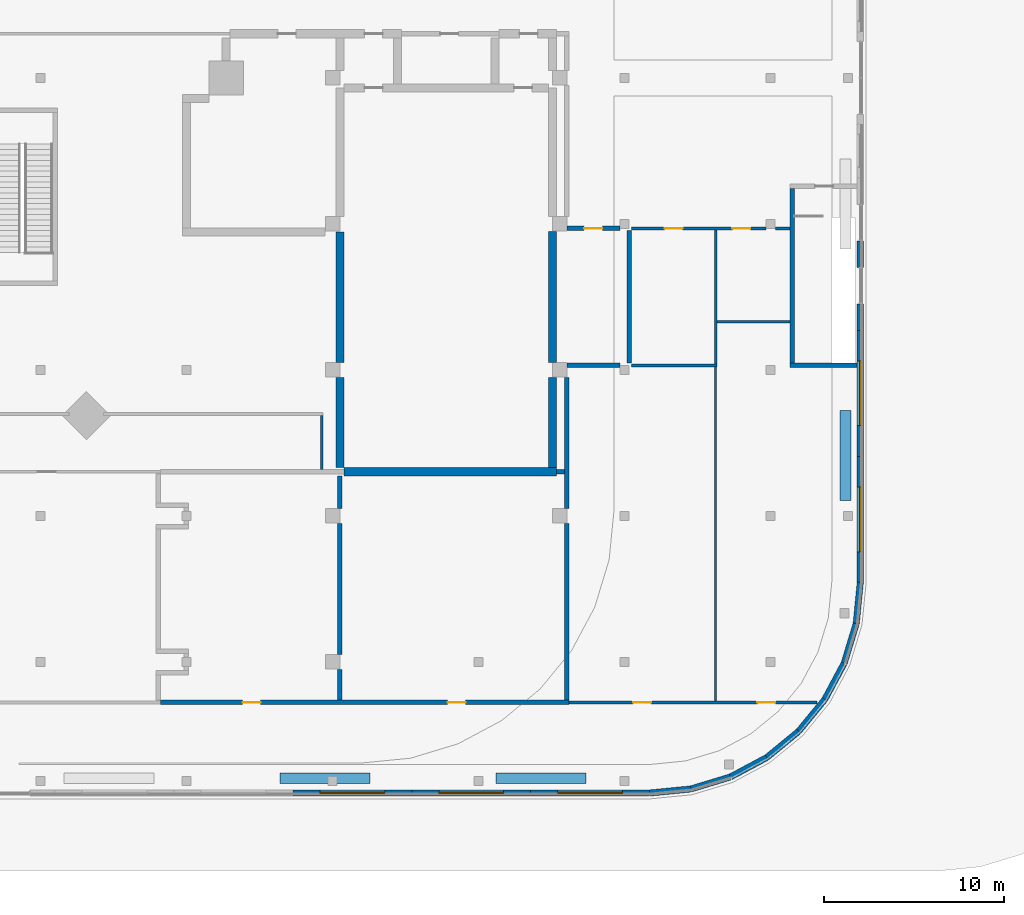
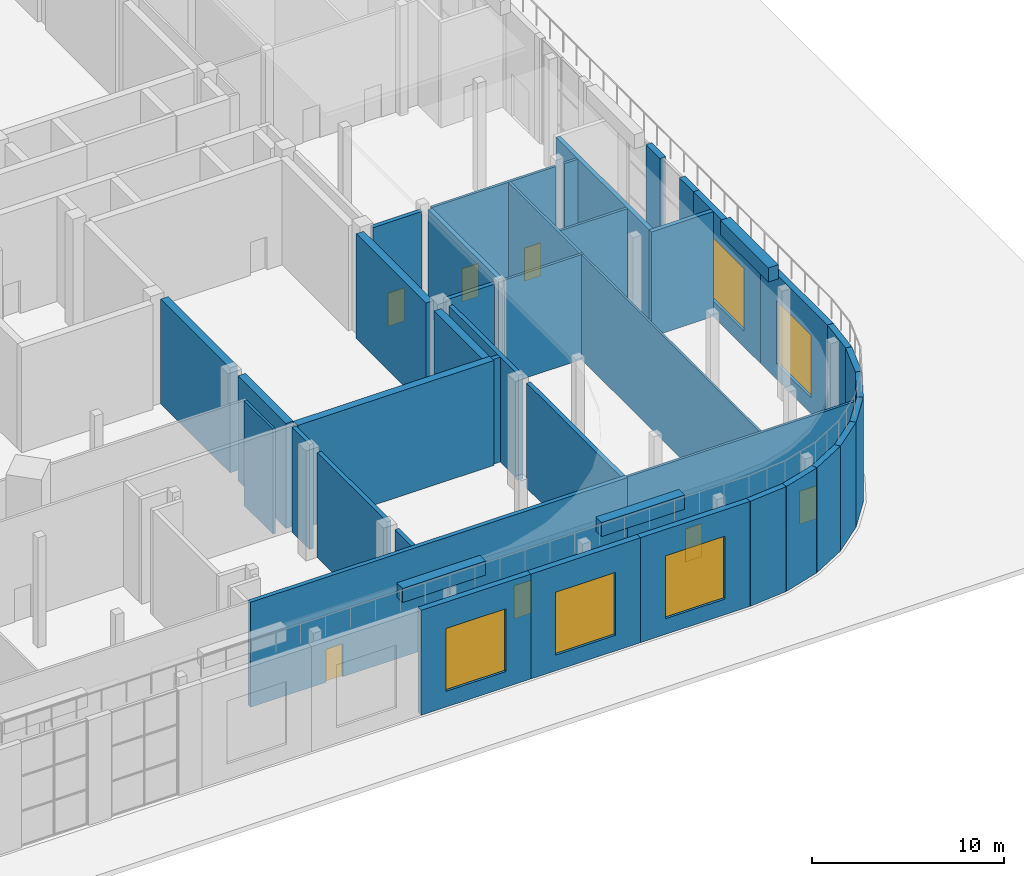
# One storey, part 12 of 21: 43 walls, 7 doors, 5 windows, 12 openings.
"""IFC4 building model written with IfcOpenShell, lengths in metres."""

from ifc_helpers import new_model, si_unit, direction, frame, frame_2d, origin, place, context, subcontext, project, spatial, rectangle, extrude, material, layer, layer_set, type_object, element, fill, save


model = new_model("IFC4")

# Units and contexts
model_context = context("Model", 3, precision=1e-05, world=origin(), true_north=direction((0.0, 1.0)))
body_context = subcontext(model_context, "Body", "Model", "MODEL_VIEW")
ifc_project = project(units=[si_unit("LENGTHUNIT", "METRE"), si_unit("AREAUNIT", "SQUARE_METRE"), si_unit("VOLUMEUNIT", "CUBIC_METRE"), si_unit("PLANEANGLEUNIT", "RADIAN"), si_unit("MASSUNIT", "GRAM", prefix="KILO")], contexts=[model_context])

# Site, building, storey
site_placement = place(None, origin())
site = spatial("IfcSite", under=ifc_project, at=site_placement, CompositionType="ELEMENT")
building_placement = place(site_placement, origin())
building = spatial("IfcBuilding", under=site, at=building_placement, Name="Torre Triforio", CompositionType="ELEMENT")
storey_placement = place(building_placement, frame((0.0, 0.0, 6.0)))
storey = spatial("IfcBuildingStorey", under=building, at=storey_placement, Name="L01", CompositionType="ELEMENT", Elevation=6.0)

# Wall
ifc_material_1 = material(Name="Plasterboard on metal studs")
ifc_layer_1 = layer(ifc_material_1, 0.14990234375)
ifc_layer_set_1 = layer_set([ifc_layer_1], Name="Plasterboard on metal studs")
wall_type_1 = type_object("IfcWallType", Name="Corridor wall 150 EI 60", PredefinedType="PARTITIONING", material=ifc_layer_set_1)
wall_1_placement = place(storey_placement, frame((31.800048828125, -21.72509765625, 0.0), z_axis=(0.0, 0.0, 1.0), x_axis=(0.0, 1.0, 0.0)))
element("IfcWall", 1, at=wall_1_placement, inside=storey, type_object=wall_type_1, Name="Corridor wall L01 210", PredefinedType="PARTITIONING", context=body_context, shape_type="SweptSolid", body=[
    extrude(rectangle(XDim=3.0, YDim=0.14990234375, at=frame_2d((1.5, 0.0))), origin(), (0.0, 0.0, 1.0), 6.679931640625),
])

# Wall, openings, doors
wall_2_placement = place(storey_placement, frame((45.52490234375, -34.64990234375, 0.0), z_axis=(0.0, 0.0, 1.0), x_axis=(1.0, 0.0, 0.0)))
wall_2 = element("IfcWall", 2, at=wall_2_placement, inside=storey, type_object=wall_type_1, Name="Corridor wall L01 219", PredefinedType="PARTITIONING", context=body_context, shape_type="SweptSolid", body=[
    extrude(rectangle(XDim=13.754638671875, YDim=0.14990234375, at=frame_2d((6.87744140625, 0.0))), origin(), (0.0, 0.0, 1.0), 6.679931640625),
])
opening_1_placement = place(wall_2_placement, frame((3.550048828125, 0.0, 0.0)))
opening_1 = element("IfcOpeningElement", 3, at=opening_1_placement, cuts=wall_2, Name="Opening P1-27", PredefinedType="OPENING", context=body_context, shape_type="SweptSolid", body=[
    extrude(rectangle(XDim=1.0, YDim=2.10009765625, at=frame_2d((0.5, 1.050048828125))), frame((0.0, 0.0849609375, 0.0), z_axis=(0.0, -1.0, 0.0), x_axis=(1.0, 0.0, 0.0)), (0.0, 0.0, 1.0), 0.169921875),
])
opening_2_placement = place(wall_2_placement, frame((10.43505859375, 0.0, 0.0)))
opening_2 = element("IfcOpeningElement", 4, at=opening_2_placement, cuts=wall_2, Name="Opening P1-28", PredefinedType="OPENING", context=body_context, shape_type="SweptSolid", body=[
    extrude(rectangle(XDim=1.0, YDim=2.10009765625, at=frame_2d((0.5, 1.050048828125))), frame((0.0, 0.0849609375, 0.0), z_axis=(0.0, -1.0, 0.0), x_axis=(1.0, 0.0, 0.0)), (0.0, 0.0, 1.0), 0.169921875),
])
ifc_material_2 = material(Name="Timber door leaf", Category="wood")
door_type_1 = type_object("IfcDoorType", Name="Single door 1000 x 2100 EI 30", OperationType="NOTDEFINED", PredefinedType="DOOR", material=ifc_material_2)
door_1_placement = place(opening_1_placement, origin())
door_1 = element("IfcDoor", 5, at=door_1_placement, inside=storey, type_object=door_type_1, Name="Door P1-27", OperationType="SINGLE_SWING_LEFT", OverallHeight=2.10009765625, OverallWidth=1.0, PredefinedType="DOOR", context=body_context, shape_type="SweptSolid", body=[
    extrude(rectangle(XDim=1.0, YDim=2.10009765625, at=frame_2d((0.5, 1.050048828125))), frame((0.0, 0.02490234375, 0.0), z_axis=(0.0, -1.0, 0.0), x_axis=(1.0, 0.0, 0.0)), (0.0, 0.0, 1.0), 0.050048828125),
])
fill(opening_1, door_1)
door_2_placement = place(opening_2_placement, origin())
door_2 = element("IfcDoor", 6, at=door_2_placement, inside=storey, type_object=door_type_1, Name="Door P1-28", OperationType="SINGLE_SWING_LEFT", OverallHeight=2.10009765625, OverallWidth=1.0, PredefinedType="DOOR", context=body_context, shape_type="SweptSolid", body=[
    extrude(rectangle(XDim=1.0, YDim=2.10009765625, at=frame_2d((0.5, 1.050048828125))), frame((0.0, 0.02490234375, 0.0), z_axis=(0.0, -1.0, 0.0), x_axis=(1.0, 0.0, 0.0)), (0.0, 0.0, 1.0), 0.050048828125),
])
fill(opening_2, door_2)

# Walls
ifc_layer_2 = layer(ifc_material_1, 0.1201171875)
ifc_layer_set_2 = layer_set([ifc_layer_2], Name="Plasterboard on metal studs")
wall_type_2 = type_object("IfcWallType", Name="Partition 120", PredefinedType="PARTITIONING", material=ifc_layer_set_2)
wall_3_placement = place(storey_placement, frame((53.64990234375, -34.574951171875, 0.0), z_axis=(0.0, 0.0, 1.0), x_axis=(0.0, 1.0, 0.0)))
element("IfcWall", 7, at=wall_3_placement, inside=storey, type_object=wall_type_2, Name="Partition L01 266", PredefinedType="PARTITIONING", context=body_context, shape_type="SweptSolid", body=[
    extrude(rectangle(XDim=18.550048828125, YDim=0.1201171875, at=frame_2d((9.27490234375, 0.0))), origin(), (0.0, 0.0, 1.0), 6.679931640625),
])
ifc_material_3 = material(Name="Masonry block", Category="masonry")
ifc_layer_3 = layer(ifc_material_3, 0.25)
ifc_layer_set_3 = layer_set([ifc_layer_3], Name="Masonry block")
wall_type_3 = type_object("IfcWallType", Name="Plant room wall 250 EI 120", PredefinedType="PARTITIONING", material=ifc_layer_set_3)
wall_4_placement = place(storey_placement, frame((48.85009765625, -15.824951171875, 0.0), z_axis=(0.0, 0.0, 1.0), x_axis=(0.0, 1.0, 0.0)))
element("IfcWall", 8, at=wall_4_placement, inside=storey, type_object=wall_type_3, Name="Plant room wall L01 005", PredefinedType="PARTITIONING", context=body_context, shape_type="SweptSolid", body=[
    extrude(rectangle(XDim=7.349853515625, YDim=0.25, at=frame_2d((3.6748046875, 0.0))), origin(), (0.0, 0.0, 1.0), 6.679931640625),
])

# Wall, opening, door
wall_5_placement = place(storey_placement, frame((45.409912109375, -8.35009765625, 0.0), z_axis=(0.0, 0.0, 1.0), x_axis=(1.0, 0.0, 0.0)))
wall_5 = element("IfcWall", 9, at=wall_5_placement, inside=storey, type_object=wall_type_3, Name="Plant room wall L01 023", PredefinedType="PARTITIONING", context=body_context, shape_type="SweptSolid", body=[
    extrude(rectangle(XDim=2.93017578125, YDim=0.25, at=frame_2d((1.465087890625, 0.0))), origin(), (0.0, 0.0, 1.0), 6.679931640625),
])
opening_3_placement = place(wall_5_placement, frame((0.949951171875, 0.0, 0.0)))
opening_3 = element("IfcOpeningElement", 10, at=opening_3_placement, cuts=wall_5, Name="Opening P1-22", PredefinedType="OPENING", context=body_context, shape_type="SweptSolid", body=[
    extrude(rectangle(XDim=1.0, YDim=2.10009765625, at=frame_2d((0.5, 1.050048828125))), frame((0.0, 0.135009765625, 0.0), z_axis=(0.0, -1.0, 0.0), x_axis=(1.0, 0.0, 0.0)), (0.0, 0.0, 1.0), 0.27001953125),
])
ifc_material_4 = material(Name="Hollow metal fire door leaf")
door_type_2 = type_object("IfcDoorType", Name="Fire door 1000 x 2100 EI 60", OperationType="NOTDEFINED", PredefinedType="DOOR", material=ifc_material_4)
door_3_placement = place(opening_3_placement, origin())
door_3 = element("IfcDoor", 11, at=door_3_placement, inside=storey, type_object=door_type_2, Name="Door P1-22", OperationType="SINGLE_SWING_LEFT", OverallHeight=2.10009765625, OverallWidth=1.0, PredefinedType="DOOR", context=body_context, shape_type="SweptSolid", body=[
    extrude(rectangle(XDim=1.0, YDim=2.10009765625, at=frame_2d((0.5, 1.050048828125))), frame((0.0, 0.02490234375, 0.0), z_axis=(0.0, -1.0, 0.0), x_axis=(1.0, 0.0, 0.0)), (0.0, 0.0, 1.0), 0.050048828125),
])
fill(opening_3, door_3)

# Walls
wall_6_placement = place(storey_placement, frame((44.824951171875, -21.85009765625, 0.0), z_axis=(0.0, 0.0, 1.0), x_axis=(1.0, 0.0, 0.0)))
element("IfcWall", 12, at=wall_6_placement, inside=storey, type_object=wall_type_3, Name="Plant room wall L01 026", PredefinedType="PARTITIONING", context=body_context, shape_type="SweptSolid", body=[
    extrude(rectangle(XDim=0.449951171875, YDim=0.25, at=frame_2d((0.22509765625, 0.0))), origin(), (0.0, 0.0, 1.0), 6.679931640625),
])
wall_7_placement = place(storey_placement, frame((45.409912109375, -15.949951171875, 0.0), z_axis=(0.0, 0.0, 1.0), x_axis=(1.0, 0.0, 0.0)))
element("IfcWall", 13, at=wall_7_placement, inside=storey, type_object=wall_type_3, Name="Plant room wall L01 030", PredefinedType="PARTITIONING", context=body_context, shape_type="SweptSolid", body=[
    extrude(rectangle(XDim=2.93017578125, YDim=0.25, at=frame_2d((1.465087890625, 0.0))), origin(), (0.0, 0.0, 1.0), 6.679931640625),
])
wall_8_placement = place(storey_placement, frame((32.800048828125, -34.52490234375, 0.0), z_axis=(0.0, 0.0, 1.0), x_axis=(0.0, 1.0, 0.0)))
element("IfcWall", 14, at=wall_8_placement, inside=storey, type_object=wall_type_3, Name="Plant room wall L01 213", PredefinedType="PARTITIONING", context=body_context, shape_type="SweptSolid", body=[
    extrude(rectangle(XDim=1.71484375, YDim=0.25, at=frame_2d((0.857421875, 0.0))), origin(), (0.0, 0.0, 1.0), 6.679931640625),
])
wall_9_placement = place(storey_placement, frame((32.800048828125, -31.989990234375, 0.0), z_axis=(0.0, 0.0, 1.0), x_axis=(0.0, 1.0, 0.0)))
element("IfcWall", 15, at=wall_9_placement, inside=storey, type_object=wall_type_3, Name="Plant room wall L01 214", PredefinedType="PARTITIONING", context=body_context, shape_type="SweptSolid", body=[
    extrude(rectangle(XDim=7.280029296875, YDim=0.25, at=frame_2d((3.64013671875, 0.0))), origin(), (0.0, 0.0, 1.0), 6.679931640625),
])
wall_10_placement = place(storey_placement, frame((32.800048828125, -23.889892578125, 0.0), z_axis=(0.0, 0.0, 1.0), x_axis=(0.0, 1.0, 0.0)))
element("IfcWall", 16, at=wall_10_placement, inside=storey, type_object=wall_type_3, Name="Plant room wall L01 215", PredefinedType="PARTITIONING", context=body_context, shape_type="SweptSolid", body=[
    extrude(rectangle(XDim=1.81494140625, YDim=0.25, at=frame_2d((0.907470703125, 0.0))), origin(), (0.0, 0.0, 1.0), 6.679931640625),
])
wall_11_placement = place(storey_placement, frame((45.39990234375, -34.52490234375, 0.0), z_axis=(0.0, 0.0, 1.0), x_axis=(0.0, 1.0, 0.0)))
element("IfcWall", 17, at=wall_11_placement, inside=storey, type_object=wall_type_3, Name="Plant room wall L01 216", PredefinedType="PARTITIONING", context=body_context, shape_type="SweptSolid", body=[
    extrude(rectangle(XDim=9.81494140625, YDim=0.25, at=frame_2d((4.907470703125, 0.0))), origin(), (0.0, 0.0, 1.0), 6.679931640625),
])
wall_12_placement = place(storey_placement, frame((45.39990234375, -23.889892578125, 0.0), z_axis=(0.0, 0.0, 1.0), x_axis=(0.0, 1.0, 0.0)))
element("IfcWall", 18, at=wall_12_placement, inside=storey, type_object=wall_type_3, Name="Plant room wall L01 217", PredefinedType="PARTITIONING", context=body_context, shape_type="SweptSolid", body=[
    extrude(rectangle(XDim=7.27978515625, YDim=0.25, at=frame_2d((3.639892578125, 0.0))), origin(), (0.0, 0.0, 1.0), 6.679931640625),
])

# Wall, openings, doors
wall_13_placement = place(storey_placement, frame((22.853515625, -34.64990234375, 0.0), z_axis=(0.0, 0.0, 1.0), x_axis=(1.0, 0.0, 0.0)))
wall_13 = element("IfcWall", 19, at=wall_13_placement, inside=storey, type_object=wall_type_3, Name="Plant room wall L01 218", PredefinedType="PARTITIONING", context=body_context, shape_type="SweptSolid", body=[
    extrude(rectangle(XDim=22.67138671875, YDim=0.25, at=frame_2d((11.335693359375, 0.0))), origin(), (0.0, 0.0, 1.0), 6.679931640625),
])
opening_4_placement = place(wall_13_placement, frame((4.550048828125, 0.0, 0.0)))
opening_4 = element("IfcOpeningElement", 20, at=opening_4_placement, cuts=wall_13, Name="Opening P1-38", PredefinedType="OPENING", context=body_context, shape_type="SweptSolid", body=[
    extrude(rectangle(XDim=1.0, YDim=2.10009765625, at=frame_2d((0.5, 1.050048828125))), frame((0.0, 0.135009765625, 0.0), z_axis=(0.0, -1.0, 0.0), x_axis=(1.0, 0.0, 0.0)), (0.0, 0.0, 1.0), 0.27001953125),
])
opening_5_placement = place(wall_13_placement, frame((15.92138671875, 0.0, 0.0)))
opening_5 = element("IfcOpeningElement", 21, at=opening_5_placement, cuts=wall_13, Name="Opening P1-39", PredefinedType="OPENING", context=body_context, shape_type="SweptSolid", body=[
    extrude(rectangle(XDim=1.0, YDim=2.10009765625, at=frame_2d((0.5, 1.050048828125))), frame((0.0, 0.135009765625, 0.0), z_axis=(0.0, -1.0, 0.0), x_axis=(1.0, 0.0, 0.0)), (0.0, 0.0, 1.0), 0.27001953125),
])
door_4_placement = place(opening_4_placement, origin())
door_4 = element("IfcDoor", 22, at=door_4_placement, inside=storey, type_object=door_type_2, Name="Door P1-38", OperationType="SINGLE_SWING_LEFT", OverallHeight=2.10009765625, OverallWidth=1.0, PredefinedType="DOOR", context=body_context, shape_type="SweptSolid", body=[
    extrude(rectangle(XDim=1.0, YDim=2.10009765625, at=frame_2d((0.5, 1.050048828125))), frame((0.0, 0.02490234375, 0.0), z_axis=(0.0, -1.0, 0.0), x_axis=(1.0, 0.0, 0.0)), (0.0, 0.0, 1.0), 0.050048828125),
])
fill(opening_4, door_4)
door_5_placement = place(opening_5_placement, origin())
door_5 = element("IfcDoor", 23, at=door_5_placement, inside=storey, type_object=door_type_2, Name="Door P1-39", OperationType="SINGLE_SWING_LEFT", OverallHeight=2.10009765625, OverallWidth=1.0, PredefinedType="DOOR", context=body_context, shape_type="SweptSolid", body=[
    extrude(rectangle(XDim=1.0, YDim=2.10009765625, at=frame_2d((0.5, 1.050048828125))), frame((0.0, 0.02490234375, 0.0), z_axis=(0.0, -1.0, 0.0), x_axis=(1.0, 0.0, 0.0)), (0.0, 0.0, 1.0), 0.050048828125),
])
fill(opening_5, door_5)

# Walls
ifc_material_5 = material(Name="Concrete C40", Category="concrete")
ifc_layer_4 = layer(ifc_material_5, 0.25)
ifc_layer_set_4 = layer_set([ifc_layer_4], Name="Concrete C40")
wall_type_4 = type_object("IfcWallType", Name="Stair enclosure wall 250 EI 120", PredefinedType="STANDARD", material=ifc_layer_set_4)
wall_14_placement = place(storey_placement, frame((57.77490234375, -15.949951171875, 0.0), z_axis=(0.0, 0.0, 1.0), x_axis=(1.0, 0.0, 0.0)))
element("IfcWall", 24, at=wall_14_placement, inside=storey, type_object=wall_type_4, Name="Stair enclosure wall L01 202", PredefinedType="STANDARD", context=body_context, shape_type="SweptSolid", body=[
    extrude(rectangle(XDim=3.72509765625, YDim=0.25, at=frame_2d((1.862548828125, 0.0))), origin(), (0.0, 0.0, 1.0), 6.679931640625),
])
wall_15_placement = place(storey_placement, frame((57.89990234375, -15.824951171875, 0.0), z_axis=(0.0, 0.0, 1.0), x_axis=(0.0, 1.0, 0.0)))
element("IfcWall", 25, at=wall_15_placement, inside=storey, type_object=wall_type_4, Name="Stair enclosure wall L01 203", PredefinedType="STANDARD", context=body_context, shape_type="SweptSolid", body=[
    extrude(rectangle(XDim=9.699951171875, YDim=0.25, at=frame_2d((4.85009765625, 0.0))), origin(), (0.0, 0.0, 1.0), 6.679931640625),
])
ifc_material_6 = material(Name="Limestone cladding", Category="masonry")
ifc_layer_5 = layer(ifc_material_6, 0.10009765625)
ifc_layer_6 = layer(ifc_material_5, 0.25)
ifc_layer_set_5 = layer_set([ifc_layer_5, ifc_layer_6], Name="Limestone cladding / Concrete C40")
wall_type_5 = type_object("IfcWallType", Name="Stone-clad podium wall 350", PredefinedType="STANDARD", material=ifc_layer_set_5)
wall_16_placement = place(storey_placement, frame((49.98388671875, -39.675048828125, 0.0), z_axis=(0.0, 0.0, 1.0), x_axis=(0.995187085002, 0.097993192849, 0.0)))
element("IfcWall", 26, at=wall_16_placement, inside=storey, type_object=wall_type_5, Name="External wall L01 e00.0.w0", PredefinedType="STANDARD", context=body_context, shape_type="SweptSolid", body=[
    extrude(rectangle(XDim=2.304443359375, YDim=0.35009765625, at=frame_2d((1.15234375, 0.0))), origin(), (0.0, 0.0, 1.0), 6.679931640625),
])
wall_17_placement = place(storey_placement, frame((52.27734375, -39.44921875, 0.0), z_axis=(0.0, 0.0, 1.0), x_axis=(0.956940921075, 0.29028274763, 0.0)))
element("IfcWall", 27, at=wall_17_placement, inside=storey, type_object=wall_type_5, Name="External wall L01 e01.0.w0", PredefinedType="STANDARD", context=body_context, shape_type="SweptSolid", body=[
    extrude(rectangle(XDim=2.28857421875, YDim=0.35009765625, at=frame_2d((1.144287109375, 0.0))), origin(), (0.0, 0.0, 1.0), 6.679931640625),
])
for number, where, z_axis, x_axis, name in (
    (28, (54.46728515625, -38.784912109375, 0.0), (0.0, 0.0, 1.0), (0.881888841544, 0.47145739061, 0.0), "External wall L01 e02.0.w0"),
    (29, (56.4853515625, -37.7060546875, 0.0), (0.0, 0.0, 1.0), (0.773043858187, 0.634352578082, 0.0), "External wall L01 e03.0.w0"),
    (30, (58.25439453125, -36.25439453125, 0.0), (0.0, 0.0, 1.0), (0.634352578082, 0.773043858187, 0.0), "External wall L01 e04.0.w0"),
    (31, (59.7060546875, -34.4853515625, 0.0), (0.0, 0.0, 1.0), (0.47145739061, 0.881888841544, 0.0), "External wall L01 e05.0.w0"),
):
    element("IfcWall", number, at=place(storey_placement, frame(where, z_axis=z_axis, x_axis=x_axis)), inside=storey, type_object=wall_type_5, Name=name, PredefinedType="STANDARD", context=body_context, shape_type="SweptSolid", body=[
        extrude(rectangle(XDim=2.288330078125, YDim=0.35009765625, at=frame_2d((1.14404296875, 0.0))), origin(), (0.0, 0.0, 1.0), 6.679931640625),
    ])
wall_18_placement = place(storey_placement, frame((60.784912109375, -32.46728515625, 0.0), z_axis=(0.0, 0.0, 1.0), x_axis=(0.29028274763, 0.956940921075, 0.0)))
element("IfcWall", 32, at=wall_18_placement, inside=storey, type_object=wall_type_5, Name="External wall L01 e06.0.w0", PredefinedType="STANDARD", context=body_context, shape_type="SweptSolid", body=[
    extrude(rectangle(XDim=2.28857421875, YDim=0.35009765625, at=frame_2d((1.144287109375, 0.0))), origin(), (0.0, 0.0, 1.0), 6.679931640625),
])
wall_19_placement = place(storey_placement, frame((61.44921875, -30.27734375, 0.0), z_axis=(0.0, 0.0, 1.0), x_axis=(0.097993192849, 0.995187085002, 0.0)))
element("IfcWall", 33, at=wall_19_placement, inside=storey, type_object=wall_type_5, Name="External wall L01 e07.0.w0", PredefinedType="STANDARD", context=body_context, shape_type="SweptSolid", body=[
    extrude(rectangle(XDim=2.304443359375, YDim=0.35009765625, at=frame_2d((1.15234375, 0.0))), origin(), (0.0, 0.0, 1.0), 6.679931640625),
])

# Wall, opening, window
wall_20_placement = place(storey_placement, frame((61.675048828125, -27.98388671875, 0.0), z_axis=(0.0, 0.0, 1.0), x_axis=(0.0, 1.0, 0.0)))
wall_20 = element("IfcWall", 34, at=wall_20_placement, inside=storey, type_object=wall_type_5, Name="External wall L01 e08.0.0.w0", PredefinedType="STANDARD", context=body_context, shape_type="SweptSolid", body=[
    extrude(rectangle(XDim=6.991943359375, YDim=0.35009765625, at=frame_2d((3.49609375, 0.0))), origin(), (0.0, 0.0, 1.0), 6.679931640625),
])
opening_6_placement = place(wall_20_placement, frame((1.696044921875, 0.0, 1.0)))
opening_6 = element("IfcOpeningElement", 35, at=opening_6_placement, cuts=wall_20, Name="Opening P1-W01", PredefinedType="OPENING", context=body_context, shape_type="SweptSolid", body=[
    extrude(rectangle(XDim=3.60009765625, YDim=4.0, at=frame_2d((1.800048828125, 2.0))), frame((0.0, 0.18505859375, 0.0), z_axis=(0.0, -1.0, 0.0), x_axis=(1.0, 0.0, 0.0)), (0.0, 0.0, 1.0), 0.3701171875),
])
ifc_material_7 = material(Name="Aluminium frame with clear double glazing", Category="aluminium")
window_type = type_object("IfcWindowType", Name="Podium window 3600 x 4000", PartitioningType="DOUBLE_PANEL_VERTICAL", PredefinedType="WINDOW", material=ifc_material_7)
window_1_placement = place(opening_6_placement, origin())
window_1 = element("IfcWindow", 36, at=window_1_placement, inside=storey, type_object=window_type, Name="Window L01 e08.0.0.w0", OverallHeight=4.0, OverallWidth=3.60009765625, PartitioningType="SINGLE_PANEL", PredefinedType="WINDOW", context=body_context, shape_type="SweptSolid", body=[
    extrude(rectangle(XDim=3.60009765625, YDim=4.0, at=frame_2d((1.800048828125, 2.0))), frame((0.0, 0.030029296875, 0.0), z_axis=(0.0, -1.0, 0.0), x_axis=(1.0, 0.0, 0.0)), (0.0, 0.0, 1.0), 0.06005859375),
])
fill(opening_6, window_1)

wall_21_placement = place(storey_placement, frame((61.675048828125, -20.991943359375, 0.0), z_axis=(0.0, 0.0, 1.0), x_axis=(0.0, 1.0, 0.0)))
wall_21 = element("IfcWall", 37, at=wall_21_placement, inside=storey, type_object=wall_type_5, Name="External wall L01 e08.0.0.w1", PredefinedType="STANDARD", context=body_context, shape_type="SweptSolid", body=[
    extrude(rectangle(XDim=6.991943359375, YDim=0.35009765625, at=frame_2d((3.49609375, 0.0))), origin(), (0.0, 0.0, 1.0), 6.679931640625),
])
opening_7_placement = place(wall_21_placement, frame((1.696044921875, 0.0, 1.0)))
opening_7 = element("IfcOpeningElement", 38, at=opening_7_placement, cuts=wall_21, Name="Opening P1-W02", PredefinedType="OPENING", context=body_context, shape_type="SweptSolid", body=[
    extrude(rectangle(XDim=3.60009765625, YDim=4.0, at=frame_2d((1.800048828125, 2.0))), frame((0.0, 0.18505859375, 0.0), z_axis=(0.0, -1.0, 0.0), x_axis=(1.0, 0.0, 0.0)), (0.0, 0.0, 1.0), 0.3701171875),
])
window_2_placement = place(opening_7_placement, origin())
window_2 = element("IfcWindow", 39, at=window_2_placement, inside=storey, type_object=window_type, Name="Window L01 e08.0.0.w1", OverallHeight=4.0, OverallWidth=3.60009765625, PartitioningType="SINGLE_PANEL", PredefinedType="WINDOW", context=body_context, shape_type="SweptSolid", body=[
    extrude(rectangle(XDim=3.60009765625, YDim=4.0, at=frame_2d((1.800048828125, 2.0))), frame((0.0, 0.030029296875, 0.0), z_axis=(0.0, -1.0, 0.0), x_axis=(1.0, 0.0, 0.0)), (0.0, 0.0, 1.0), 0.06005859375),
])
fill(opening_7, window_2)

# Walls
wall_22_placement = place(storey_placement, frame((61.675048828125, -14.0, 0.0), z_axis=(0.0, 0.0, 1.0), x_axis=(0.0, 1.0, 0.0)))
element("IfcWall", 40, at=wall_22_placement, inside=storey, type_object=wall_type_5, Name="External wall L01 e08.0.1.g0", PredefinedType="STANDARD", context=body_context, shape_type="SweptSolid", body=[
    extrude(rectangle(XDim=1.466796875, YDim=0.35009765625, at=frame_2d((0.7333984375, 0.0))), origin(), (0.0, 0.0, 1.0), 6.679931640625),
])
wall_23_placement = place(storey_placement, frame((61.675048828125, -10.50830078125, 0.0), z_axis=(0.0, 0.0, 1.0), x_axis=(0.0, 1.0, 0.0)))
element("IfcWall", 41, at=wall_23_placement, inside=storey, type_object=wall_type_5, Name="External wall L01 e08.0.1.g1", PredefinedType="STANDARD", context=body_context, shape_type="SweptSolid", body=[
    extrude(rectangle(XDim=1.466552734375, YDim=0.35009765625, at=frame_2d((0.7333984375, 0.0))), origin(), (0.0, 0.0, 1.0), 6.679931640625),
])

# Wall, opening, window
wall_24_placement = place(storey_placement, frame((30.193603515625, -39.675048828125, 0.0), z_axis=(0.0, 0.0, 1.0), x_axis=(1.0, 0.0, 0.0)))
wall_24 = element("IfcWall", 42, at=wall_24_placement, inside=storey, type_object=wall_type_5, Name="External wall L01 e35.0.2.w2", PredefinedType="STANDARD", context=body_context, shape_type="SweptSolid", body=[
    extrude(rectangle(XDim=6.5966796875, YDim=0.35009765625, at=frame_2d((3.29833984375, 0.0))), origin(), (0.0, 0.0, 1.0), 6.679931640625),
])
opening_8_placement = place(wall_24_placement, frame((1.498291015625, 0.0, 1.0)))
opening_8 = element("IfcOpeningElement", 43, at=opening_8_placement, cuts=wall_24, Name="Opening P1-W24", PredefinedType="OPENING", context=body_context, shape_type="SweptSolid", body=[
    extrude(rectangle(XDim=3.60009765625, YDim=4.0, at=frame_2d((1.800048828125, 2.0))), frame((0.0, 0.18505859375, 0.0), z_axis=(0.0, -1.0, 0.0), x_axis=(1.0, 0.0, 0.0)), (0.0, 0.0, 1.0), 0.3701171875),
])
window_3_placement = place(opening_8_placement, origin())
window_3 = element("IfcWindow", 44, at=window_3_placement, inside=storey, type_object=window_type, Name="Window L01 e35.0.2.w2", OverallHeight=4.0, OverallWidth=3.60009765625, PartitioningType="SINGLE_PANEL", PredefinedType="WINDOW", context=body_context, shape_type="SweptSolid", body=[
    extrude(rectangle(XDim=3.60009765625, YDim=4.0, at=frame_2d((1.800048828125, 2.0))), frame((0.0, 0.030029296875, 0.0), z_axis=(0.0, -1.0, 0.0), x_axis=(1.0, 0.0, 0.0)), (0.0, 0.0, 1.0), 0.06005859375),
])
fill(opening_8, window_3)

wall_25_placement = place(storey_placement, frame((36.790283203125, -39.675048828125, 0.0), z_axis=(0.0, 0.0, 1.0), x_axis=(1.0, 0.0, 0.0)))
wall_25 = element("IfcWall", 45, at=wall_25_placement, inside=storey, type_object=wall_type_5, Name="External wall L01 e35.0.2.w3", PredefinedType="STANDARD", context=body_context, shape_type="SweptSolid", body=[
    extrude(rectangle(XDim=6.596923828125, YDim=0.35009765625, at=frame_2d((3.29833984375, 0.0))), origin(), (0.0, 0.0, 1.0), 6.679931640625),
])
opening_9_placement = place(wall_25_placement, frame((1.498291015625, 0.0, 1.0)))
opening_9 = element("IfcOpeningElement", 46, at=opening_9_placement, cuts=wall_25, Name="Opening P1-W25", PredefinedType="OPENING", context=body_context, shape_type="SweptSolid", body=[
    extrude(rectangle(XDim=3.60009765625, YDim=4.0, at=frame_2d((1.800048828125, 2.0))), frame((0.0, 0.18505859375, 0.0), z_axis=(0.0, -1.0, 0.0), x_axis=(1.0, 0.0, 0.0)), (0.0, 0.0, 1.0), 0.3701171875),
])
window_4_placement = place(opening_9_placement, origin())
window_4 = element("IfcWindow", 47, at=window_4_placement, inside=storey, type_object=window_type, Name="Window L01 e35.0.2.w3", OverallHeight=4.0, OverallWidth=3.60009765625, PartitioningType="SINGLE_PANEL", PredefinedType="WINDOW", context=body_context, shape_type="SweptSolid", body=[
    extrude(rectangle(XDim=3.60009765625, YDim=4.0, at=frame_2d((1.800048828125, 2.0))), frame((0.0, 0.030029296875, 0.0), z_axis=(0.0, -1.0, 0.0), x_axis=(1.0, 0.0, 0.0)), (0.0, 0.0, 1.0), 0.06005859375),
])
fill(opening_9, window_4)

wall_26_placement = place(storey_placement, frame((43.38720703125, -39.675048828125, 0.0), z_axis=(0.0, 0.0, 1.0), x_axis=(1.0, 0.0, 0.0)))
wall_26 = element("IfcWall", 48, at=wall_26_placement, inside=storey, type_object=wall_type_5, Name="External wall L01 e35.0.2.w4", PredefinedType="STANDARD", context=body_context, shape_type="SweptSolid", body=[
    extrude(rectangle(XDim=6.5966796875, YDim=0.35009765625, at=frame_2d((3.29833984375, 0.0))), origin(), (0.0, 0.0, 1.0), 6.679931640625),
])
opening_10_placement = place(wall_26_placement, frame((1.498291015625, 0.0, 1.0)))
opening_10 = element("IfcOpeningElement", 49, at=opening_10_placement, cuts=wall_26, Name="Opening P1-W26", PredefinedType="OPENING", context=body_context, shape_type="SweptSolid", body=[
    extrude(rectangle(XDim=3.60009765625, YDim=4.0, at=frame_2d((1.800048828125, 2.0))), frame((0.0, 0.18505859375, 0.0), z_axis=(0.0, -1.0, 0.0), x_axis=(1.0, 0.0, 0.0)), (0.0, 0.0, 1.0), 0.3701171875),
])
window_5_placement = place(opening_10_placement, origin())
window_5 = element("IfcWindow", 50, at=window_5_placement, inside=storey, type_object=window_type, Name="Window L01 e35.0.2.w4", OverallHeight=4.0, OverallWidth=3.60009765625, PartitioningType="SINGLE_PANEL", PredefinedType="WINDOW", context=body_context, shape_type="SweptSolid", body=[
    extrude(rectangle(XDim=3.60009765625, YDim=4.0, at=frame_2d((1.800048828125, 2.0))), frame((0.0, 0.030029296875, 0.0), z_axis=(0.0, -1.0, 0.0), x_axis=(1.0, 0.0, 0.0)), (0.0, 0.0, 1.0), 0.06005859375),
])
fill(opening_10, window_5)

# Walls
ifc_material_8 = material(Name="Double leaf masonry acoustic wall", Category="masonry")
ifc_layer_7 = layer(ifc_material_8, 0.449951171875)
ifc_layer_set_6 = layer_set([ifc_layer_7], Name="Double leaf masonry acoustic wall")
wall_type_6 = type_object("IfcWallType", Name="Studio sound wall 450 EI 60", PredefinedType="PARTITIONING", material=ifc_layer_set_6)
wall_27_placement = place(storey_placement, frame((44.60009765625, -21.625, 0.0), z_axis=(0.0, 0.0, 1.0), x_axis=(0.0, 1.0, 0.0)))
element("IfcWall", 51, at=wall_27_placement, inside=storey, type_object=wall_type_6, Name="Studio sound wall L01 027", PredefinedType="PARTITIONING", context=body_context, shape_type="SweptSolid", body=[
    extrude(rectangle(XDim=5.014892578125, YDim=0.449951171875, at=frame_2d((2.50732421875, 0.0))), origin(), (0.0, 0.0, 1.0), 6.679931640625),
])
wall_28_placement = place(storey_placement, frame((44.60009765625, -15.7900390625, 0.0), z_axis=(0.0, 0.0, 1.0), x_axis=(0.0, 1.0, 0.0)))
element("IfcWall", 52, at=wall_28_placement, inside=storey, type_object=wall_type_6, Name="Studio sound wall L01 028", PredefinedType="PARTITIONING", context=body_context, shape_type="SweptSolid", body=[
    extrude(rectangle(XDim=7.280029296875, YDim=0.449951171875, at=frame_2d((3.64013671875, 0.0))), origin(), (0.0, 0.0, 1.0), 6.679931640625),
])
wall_29_placement = place(storey_placement, frame((33.02490234375, -21.85009765625, 0.0), z_axis=(0.0, 0.0, 1.0), x_axis=(1.0, 0.0, 0.0)))
element("IfcWall", 53, at=wall_29_placement, inside=storey, type_object=wall_type_6, Name="Studio sound wall L01 212", PredefinedType="PARTITIONING", context=body_context, shape_type="SweptSolid", body=[
    extrude(rectangle(XDim=11.800048828125, YDim=0.449951171875, at=frame_2d((5.89990234375, 0.0))), origin(), (0.0, 0.0, 1.0), 6.679931640625),
])
wall_30_placement = place(storey_placement, frame((32.800048828125, -21.625, 0.0), z_axis=(0.0, 0.0, 1.0), x_axis=(0.0, 1.0, 0.0)))
element("IfcWall", 54, at=wall_30_placement, inside=storey, type_object=wall_type_6, Name="Studio sound wall L01 221", PredefinedType="PARTITIONING", context=body_context, shape_type="SweptSolid", body=[
    extrude(rectangle(XDim=5.014892578125, YDim=0.449951171875, at=frame_2d((2.50732421875, 0.0))), origin(), (0.0, 0.0, 1.0), 6.679931640625),
])
wall_31_placement = place(storey_placement, frame((32.800048828125, -15.7900390625, 0.0), z_axis=(0.0, 0.0, 1.0), x_axis=(0.0, 1.0, 0.0)))
element("IfcWall", 55, at=wall_31_placement, inside=storey, type_object=wall_type_6, Name="Studio sound wall L01 222", PredefinedType="PARTITIONING", context=body_context, shape_type="SweptSolid", body=[
    extrude(rectangle(XDim=7.239990234375, YDim=0.449951171875, at=frame_2d((3.6201171875, 0.0))), origin(), (0.0, 0.0, 1.0), 6.679931640625),
])
ifc_layer_8 = layer(ifc_material_6, 0.10009765625)
ifc_layer_9 = layer(ifc_material_5, 0.5)
ifc_layer_set_7 = layer_set([ifc_layer_8, ifc_layer_9], Name="Limestone cladding / Concrete C40")
wall_type_7 = type_object("IfcWallType", Name="Terrace planter wall 600", PredefinedType="PARAPET", material=ifc_layer_set_7)
for number, where, z_axis, x_axis, name in (
    (56, (60.85009765625, -23.45751953125, 7.0), (0.0, 0.0, 1.0), (0.0, 1.0, 0.0), "Terrace T2 planter 09.1"),
    (57, (29.4716796875, -38.85009765625, 7.0), (0.0, 0.0, 1.0), (1.0, 0.0, 0.0), "Terrace T2 planter 36.5"),
    (58, (41.452880859375, -38.85009765625, 7.0), (0.0, 0.0, 1.0), (1.0, 0.0, 0.0), "Terrace T2 planter 36.6"),
):
    element("IfcWall", number, at=place(storey_placement, frame(where, z_axis=z_axis, x_axis=x_axis)), inside=storey, type_object=wall_type_7, Name=name, PredefinedType="PARAPET", context=body_context, shape_type="SweptSolid", body=[
        extrude(rectangle(XDim=5.0, YDim=0.60009765625, at=frame_2d((2.5, 0.0))), origin(), (0.0, 0.0, 1.0), 0.89990234375),
    ])

# Wall, openings, doors
ifc_layer_10 = layer(ifc_material_1, 0.14990234375)
ifc_layer_set_8 = layer_set([ifc_layer_10], Name="Plasterboard on metal studs")
wall_type_8 = type_object("IfcWallType", Name="Wet room wall 150", PredefinedType="PARTITIONING", material=ifc_layer_set_8)
wall_32_placement = place(storey_placement, frame((48.97509765625, -8.35009765625, 0.0), z_axis=(0.0, 0.0, 1.0), x_axis=(1.0, 0.0, 0.0)))
wall_32 = element("IfcWall", 59, at=wall_32_placement, inside=storey, type_object=wall_type_8, Name="Wet room wall L01 006", PredefinedType="PARTITIONING", context=body_context, shape_type="SweptSolid", body=[
    extrude(rectangle(XDim=7.46484375, YDim=0.14990234375, at=frame_2d((3.732421875, 0.0))), origin(), (0.0, 0.0, 1.0), 6.679931640625),
])
opening_11_placement = place(wall_32_placement, frame((1.85009765625, 0.0, 0.0)))
opening_11 = element("IfcOpeningElement", 60, at=opening_11_placement, cuts=wall_32, Name="Opening P1-21", PredefinedType="OPENING", context=body_context, shape_type="SweptSolid", body=[
    extrude(rectangle(XDim=1.0, YDim=2.10009765625, at=frame_2d((0.5, 1.050048828125))), frame((0.0, 0.0849609375, 0.0), z_axis=(0.0, -1.0, 0.0), x_axis=(1.0, 0.0, 0.0)), (0.0, 0.0, 1.0), 0.169921875),
])
opening_12_placement = place(wall_32_placement, frame((5.60009765625, 0.0, 0.0)))
opening_12 = element("IfcOpeningElement", 61, at=opening_12_placement, cuts=wall_32, Name="Opening P1-23", PredefinedType="OPENING", context=body_context, shape_type="SweptSolid", body=[
    extrude(rectangle(XDim=1.0, YDim=2.10009765625, at=frame_2d((0.5, 1.050048828125))), frame((0.0, 0.0849609375, 0.0), z_axis=(0.0, -1.0, 0.0), x_axis=(1.0, 0.0, 0.0)), (0.0, 0.0, 1.0), 0.169921875),
])
door_type_3 = type_object("IfcDoorType", Name="Single door 1000 x 2100", OperationType="NOTDEFINED", PredefinedType="DOOR", material=ifc_material_2)
door_6_placement = place(opening_11_placement, origin())
door_6 = element("IfcDoor", 62, at=door_6_placement, inside=storey, type_object=door_type_3, Name="Door P1-21", OperationType="SINGLE_SWING_LEFT", OverallHeight=2.10009765625, OverallWidth=1.0, PredefinedType="DOOR", context=body_context, shape_type="SweptSolid", body=[
    extrude(rectangle(XDim=1.0, YDim=2.10009765625, at=frame_2d((0.5, 1.050048828125))), frame((0.0, 0.02490234375, 0.0), z_axis=(0.0, -1.0, 0.0), x_axis=(1.0, 0.0, 0.0)), (0.0, 0.0, 1.0), 0.050048828125),
])
fill(opening_11, door_6)
door_7_placement = place(opening_12_placement, origin())
door_7 = element("IfcDoor", 63, at=door_7_placement, inside=storey, type_object=door_type_3, Name="Door P1-23", OperationType="SINGLE_SWING_LEFT", OverallHeight=2.10009765625, OverallWidth=1.0, PredefinedType="DOOR", context=body_context, shape_type="SweptSolid", body=[
    extrude(rectangle(XDim=1.0, YDim=2.10009765625, at=frame_2d((0.5, 1.050048828125))), frame((0.0, 0.02490234375, 0.0), z_axis=(0.0, -1.0, 0.0), x_axis=(1.0, 0.0, 0.0)), (0.0, 0.0, 1.0), 0.050048828125),
])
fill(opening_12, door_7)

# Walls
wall_33_placement = place(storey_placement, frame((48.97509765625, -15.949951171875, 0.0), z_axis=(0.0, 0.0, 1.0), x_axis=(1.0, 0.0, 0.0)))
element("IfcWall", 64, at=wall_33_placement, inside=storey, type_object=wall_type_8, Name="Wet room wall L01 007", PredefinedType="PARTITIONING", context=body_context, shape_type="SweptSolid", body=[
    extrude(rectangle(XDim=4.75, YDim=0.14990234375, at=frame_2d((2.375, 0.0))), origin(), (0.0, 0.0, 1.0), 6.679931640625),
])
wall_34_placement = place(storey_placement, frame((53.64990234375, -15.875, 0.0), z_axis=(0.0, 0.0, 1.0), x_axis=(0.0, 1.0, 0.0)))
element("IfcWall", 65, at=wall_34_placement, inside=storey, type_object=wall_type_8, Name="Wet room wall L01 008", PredefinedType="PARTITIONING", context=body_context, shape_type="SweptSolid", body=[
    extrude(rectangle(XDim=7.449951171875, YDim=0.14990234375, at=frame_2d((3.72509765625, 0.0))), origin(), (0.0, 0.0, 1.0), 6.679931640625),
])
wall_35_placement = place(storey_placement, frame((56.9599609375, -8.35009765625, 0.0), z_axis=(0.0, 0.0, 1.0), x_axis=(1.0, 0.0, 0.0)))
element("IfcWall", 66, at=wall_35_placement, inside=storey, type_object=wall_type_8, Name="Wet room wall L01 011", PredefinedType="PARTITIONING", context=body_context, shape_type="SweptSolid", body=[
    extrude(rectangle(XDim=0.81494140625, YDim=0.14990234375, at=frame_2d((0.407470703125, 0.0))), origin(), (0.0, 0.0, 1.0), 6.679931640625),
])
wall_36_placement = place(storey_placement, frame((53.72509765625, -13.526611328125, 0.0), z_axis=(0.0, 0.0, 1.0), x_axis=(1.0, 0.0, 0.0)))
element("IfcWall", 67, at=wall_36_placement, inside=storey, type_object=wall_type_8, Name="Wet room wall L01 012", PredefinedType="PARTITIONING", context=body_context, shape_type="SweptSolid", body=[
    extrude(rectangle(XDim=4.0498046875, YDim=0.14990234375, at=frame_2d((2.02490234375, 0.0))), origin(), (0.0, 0.0, 1.0), 6.679931640625),
])

save(model, "model.ifc")
